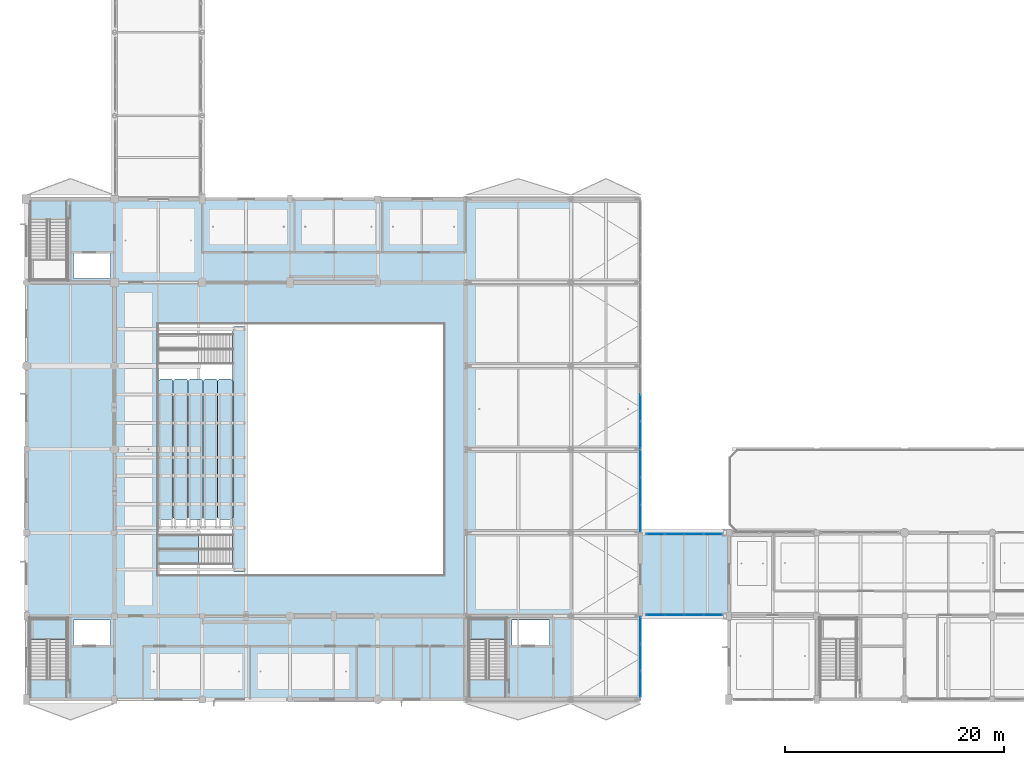
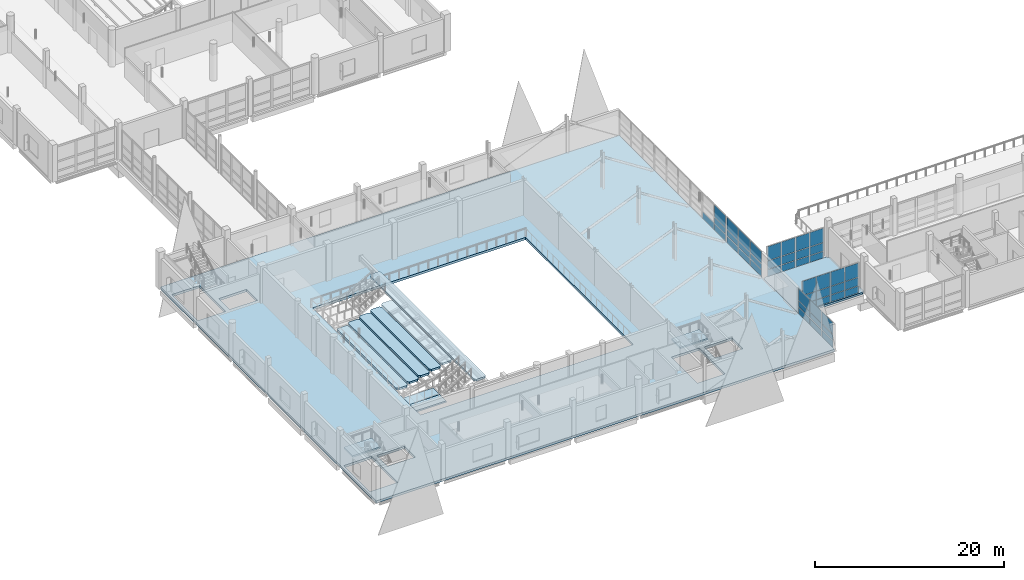
# One storey, part 68 of 147: 46 plates, 12 slabs, 9 elements without a shape of their own.
"""IFC4 building model written with IfcOpenShell, lengths in metres."""

from ifc_helpers import new_model, si_unit, direction, frame, origin, origin_2d, place, context, subcontext, project, spatial, polyline, rectangle, outline, extrude, material, layer, layer_set, type_object, element, aggregate, save


model = new_model("IFC4")

# Units and contexts
model_context = context("Model", 3, precision=1e-05, world=origin(), true_north=direction((0.0, 1.0)))
body_context = subcontext(model_context, "Body", "Model", "MODEL_VIEW")
ifc_project = project(units=[si_unit("LENGTHUNIT", "METRE"), si_unit("AREAUNIT", "SQUARE_METRE"), si_unit("VOLUMEUNIT", "CUBIC_METRE"), si_unit("PLANEANGLEUNIT", "RADIAN"), si_unit("MASSUNIT", "GRAM", prefix="KILO")], contexts=[model_context])

# Site, building, storey
site_placement = place(None, origin())
site = spatial("IfcSite", under=ifc_project, at=site_placement, CompositionType="ELEMENT")
building_placement = place(site_placement, origin())
building = spatial("IfcBuilding", under=site, at=building_placement, Name="Khelvaren Railside Concert Hall", CompositionType="ELEMENT")
storey_placement = place(building_placement, frame((0.0, 0.0, 5.39990234375)))
storey = spatial("IfcBuildingStorey", under=building, at=storey_placement, Name="L01", CompositionType="ELEMENT", Elevation=5.39990234375)

# Curtain wall, plates
ifc_material_1 = material(Name="Double-glazed clear foyer glass", Category="glass")
curtain_wall_type_1 = type_object("IfcCurtainWallType", Name="CW47", PredefinedType="USERDEFINED", material=ifc_material_1)
curtain_wall_1_placement = place(storey_placement, origin())
curtain_wall_1 = element("IfcCurtainWall", 1, at=curtain_wall_1_placement, inside=storey, type_object=curtain_wall_type_1, Name="Unitised Curtain Wall CW-LB1-L01-S", ObjectType="UNITISED CURTAIN WALL", PredefinedType="USERDEFINED")
ifc_layer_1 = layer(ifc_material_1, 0.0439453125)
ifc_layer_set_1 = layer_set([ifc_layer_1], Name="Double-glazed clear foyer glass")
plate_type_1 = type_object("IfcPlateType", Name="CWP33", PredefinedType="CURTAIN_PANEL", material=ifc_layer_set_1)
plate_1_placement = place(storey_placement, frame((62.512451171875, 7.699951171875, 0.065185546875), z_axis=(0.0, 0.0, 1.0), x_axis=(-1.0, 0.0, 0.0)))
plate_1 = element("IfcPlate", 2, at=plate_1_placement, type_object=plate_type_1, Name="CW47 panel 1.1", PredefinedType="CURTAIN_PANEL", context=body_context, shape_type="SweptSolid", body=[
    extrude(rectangle(XDim=1.625, YDim=0.0439453125, at=origin_2d()), origin(), (0.0, 0.0, 1.0), 0.8525390625),
])
plate_2_placement = place(storey_placement, frame((62.512451171875, 7.699951171875, 0.982666015625), z_axis=(0.0, 0.0, 1.0), x_axis=(-1.0, 0.0, 0.0)))
plate_2 = element("IfcPlate", 3, at=plate_2_placement, type_object=plate_type_1, Name="CW47 panel 1.2", PredefinedType="CURTAIN_PANEL", context=body_context, shape_type="SweptSolid", body=[
    extrude(rectangle(XDim=1.625, YDim=0.0439453125, at=origin_2d()), origin(), (0.0, 0.0, 1.0), 1.0546875),
])
plate_3_placement = place(storey_placement, frame((62.512451171875, 7.699951171875, 2.10205078125), z_axis=(0.0, 0.0, 1.0), x_axis=(-1.0, 0.0, 0.0)))
plate_3 = element("IfcPlate", 4, at=plate_3_placement, type_object=plate_type_1, Name="CW47 panel 1.3", PredefinedType="CURTAIN_PANEL", context=body_context, shape_type="SweptSolid", body=[
    extrude(rectangle(XDim=1.625, YDim=0.0439453125, at=origin_2d()), origin(), (0.0, 0.0, 1.0), 1.81298828125),
])
plate_4_placement = place(storey_placement, frame((60.793701171875, 7.699951171875, 0.065185546875), z_axis=(0.0, 0.0, 1.0), x_axis=(-1.0, 0.0, 0.0)))
plate_4 = element("IfcPlate", 5, at=plate_4_placement, type_object=plate_type_1, Name="CW47 panel 2.1", PredefinedType="CURTAIN_PANEL", context=body_context, shape_type="SweptSolid", body=[
    extrude(rectangle(XDim=1.66259765625, YDim=0.0439453125, at=origin_2d()), origin(), (0.0, 0.0, 1.0), 0.8525390625),
])
plate_5_placement = place(storey_placement, frame((60.793701171875, 7.699951171875, 0.982666015625), z_axis=(0.0, 0.0, 1.0), x_axis=(-1.0, 0.0, 0.0)))
plate_5 = element("IfcPlate", 6, at=plate_5_placement, type_object=plate_type_1, Name="CW47 panel 2.2", PredefinedType="CURTAIN_PANEL", context=body_context, shape_type="SweptSolid", body=[
    extrude(rectangle(XDim=1.66259765625, YDim=0.0439453125, at=origin_2d()), origin(), (0.0, 0.0, 1.0), 1.0546875),
])
plate_6_placement = place(storey_placement, frame((60.793701171875, 7.699951171875, 2.10205078125), z_axis=(0.0, 0.0, 1.0), x_axis=(-1.0, 0.0, 0.0)))
plate_6 = element("IfcPlate", 7, at=plate_6_placement, type_object=plate_type_1, Name="CW47 panel 2.3", PredefinedType="CURTAIN_PANEL", context=body_context, shape_type="SweptSolid", body=[
    extrude(rectangle(XDim=1.66259765625, YDim=0.0439453125, at=origin_2d()), origin(), (0.0, 0.0, 1.0), 1.81298828125),
])
plate_7_placement = place(storey_placement, frame((59.05615234375, 7.699951171875, 0.065185546875), z_axis=(0.0, 0.0, 1.0), x_axis=(-1.0, 0.0, 0.0)))
plate_7 = element("IfcPlate", 8, at=plate_7_placement, type_object=plate_type_1, Name="CW47 panel 3.1", PredefinedType="CURTAIN_PANEL", context=body_context, shape_type="SweptSolid", body=[
    extrude(rectangle(XDim=1.66259765625, YDim=0.0439453125, at=origin_2d()), origin(), (0.0, 0.0, 1.0), 0.8525390625),
])
plate_8_placement = place(storey_placement, frame((59.05615234375, 7.699951171875, 0.982666015625), z_axis=(0.0, 0.0, 1.0), x_axis=(-1.0, 0.0, 0.0)))
plate_8 = element("IfcPlate", 9, at=plate_8_placement, type_object=plate_type_1, Name="CW47 panel 3.2", PredefinedType="CURTAIN_PANEL", context=body_context, shape_type="SweptSolid", body=[
    extrude(rectangle(XDim=1.66259765625, YDim=0.0439453125, at=origin_2d()), origin(), (0.0, 0.0, 1.0), 1.0546875),
])
plate_9_placement = place(storey_placement, frame((59.05615234375, 7.699951171875, 2.10205078125), z_axis=(0.0, 0.0, 1.0), x_axis=(-1.0, 0.0, 0.0)))
plate_9 = element("IfcPlate", 10, at=plate_9_placement, type_object=plate_type_1, Name="CW47 panel 3.3", PredefinedType="CURTAIN_PANEL", context=body_context, shape_type="SweptSolid", body=[
    extrude(rectangle(XDim=1.66259765625, YDim=0.0439453125, at=origin_2d()), origin(), (0.0, 0.0, 1.0), 1.81298828125),
])
plate_10_placement = place(storey_placement, frame((57.33740234375, 7.699951171875, 0.065185546875), z_axis=(0.0, 0.0, 1.0), x_axis=(-1.0, 0.0, 0.0)))
plate_10 = element("IfcPlate", 11, at=plate_10_placement, type_object=plate_type_1, Name="CW47 panel 4.1", PredefinedType="CURTAIN_PANEL", context=body_context, shape_type="SweptSolid", body=[
    extrude(rectangle(XDim=1.625, YDim=0.0439453125, at=origin_2d()), origin(), (0.0, 0.0, 1.0), 0.8525390625),
])
plate_11_placement = place(storey_placement, frame((57.33740234375, 7.699951171875, 0.982666015625), z_axis=(0.0, 0.0, 1.0), x_axis=(-1.0, 0.0, 0.0)))
plate_11 = element("IfcPlate", 12, at=plate_11_placement, type_object=plate_type_1, Name="CW47 panel 4.2", PredefinedType="CURTAIN_PANEL", context=body_context, shape_type="SweptSolid", body=[
    extrude(rectangle(XDim=1.625, YDim=0.0439453125, at=origin_2d()), origin(), (0.0, 0.0, 1.0), 1.0546875),
])
plate_12_placement = place(storey_placement, frame((57.33740234375, 7.699951171875, 2.10205078125), z_axis=(0.0, 0.0, 1.0), x_axis=(-1.0, 0.0, 0.0)))
plate_12 = element("IfcPlate", 13, at=plate_12_placement, type_object=plate_type_1, Name="CW47 panel 4.3", PredefinedType="CURTAIN_PANEL", context=body_context, shape_type="SweptSolid", body=[
    extrude(rectangle(XDim=1.625, YDim=0.0439453125, at=origin_2d()), origin(), (0.0, 0.0, 1.0), 1.81298828125),
])
aggregate(curtain_wall_1, [plate_1, plate_2, plate_3, plate_4, plate_5, plate_6, plate_7, plate_8, plate_9, plate_10, plate_11, plate_12])

curtain_wall_2_placement = place(storey_placement, origin())
curtain_wall_2 = element("IfcCurtainWall", 14, at=curtain_wall_2_placement, inside=storey, type_object=curtain_wall_type_1, Name="Unitised Curtain Wall CW-LB1-L01-N", ObjectType="UNITISED CURTAIN WALL", PredefinedType="USERDEFINED")
plate_13_placement = place(storey_placement, frame((57.33740234375, 15.10009765625, 0.065185546875), z_axis=(0.0, 0.0, 1.0), x_axis=(1.0, 0.0, 0.0)))
plate_13 = element("IfcPlate", 15, at=plate_13_placement, type_object=plate_type_1, Name="CW47 panel 1.1", PredefinedType="CURTAIN_PANEL", context=body_context, shape_type="SweptSolid", body=[
    extrude(rectangle(XDim=1.625, YDim=0.0439453125, at=origin_2d()), origin(), (0.0, 0.0, 1.0), 0.8525390625),
])
plate_14_placement = place(storey_placement, frame((57.33740234375, 15.10009765625, 0.982666015625), z_axis=(0.0, 0.0, 1.0), x_axis=(1.0, 0.0, 0.0)))
plate_14 = element("IfcPlate", 16, at=plate_14_placement, type_object=plate_type_1, Name="CW47 panel 1.2", PredefinedType="CURTAIN_PANEL", context=body_context, shape_type="SweptSolid", body=[
    extrude(rectangle(XDim=1.625, YDim=0.0439453125, at=origin_2d()), origin(), (0.0, 0.0, 1.0), 1.0546875),
])
plate_15_placement = place(storey_placement, frame((57.33740234375, 15.10009765625, 2.10205078125), z_axis=(0.0, 0.0, 1.0), x_axis=(1.0, 0.0, 0.0)))
plate_15 = element("IfcPlate", 17, at=plate_15_placement, type_object=plate_type_1, Name="CW47 panel 1.3", PredefinedType="CURTAIN_PANEL", context=body_context, shape_type="SweptSolid", body=[
    extrude(rectangle(XDim=1.625, YDim=0.0439453125, at=origin_2d()), origin(), (0.0, 0.0, 1.0), 1.81298828125),
])
plate_16_placement = place(storey_placement, frame((59.05615234375, 15.10009765625, 0.065185546875), z_axis=(0.0, 0.0, 1.0), x_axis=(1.0, 0.0, 0.0)))
plate_16 = element("IfcPlate", 18, at=plate_16_placement, type_object=plate_type_1, Name="CW47 panel 2.1", PredefinedType="CURTAIN_PANEL", context=body_context, shape_type="SweptSolid", body=[
    extrude(rectangle(XDim=1.66259765625, YDim=0.0439453125, at=origin_2d()), origin(), (0.0, 0.0, 1.0), 0.8525390625),
])
plate_17_placement = place(storey_placement, frame((59.05615234375, 15.10009765625, 0.982666015625), z_axis=(0.0, 0.0, 1.0), x_axis=(1.0, 0.0, 0.0)))
plate_17 = element("IfcPlate", 19, at=plate_17_placement, type_object=plate_type_1, Name="CW47 panel 2.2", PredefinedType="CURTAIN_PANEL", context=body_context, shape_type="SweptSolid", body=[
    extrude(rectangle(XDim=1.66259765625, YDim=0.0439453125, at=origin_2d()), origin(), (0.0, 0.0, 1.0), 1.0546875),
])
plate_18_placement = place(storey_placement, frame((59.05615234375, 15.10009765625, 2.10205078125), z_axis=(0.0, 0.0, 1.0), x_axis=(1.0, 0.0, 0.0)))
plate_18 = element("IfcPlate", 20, at=plate_18_placement, type_object=plate_type_1, Name="CW47 panel 2.3", PredefinedType="CURTAIN_PANEL", context=body_context, shape_type="SweptSolid", body=[
    extrude(rectangle(XDim=1.66259765625, YDim=0.0439453125, at=origin_2d()), origin(), (0.0, 0.0, 1.0), 1.81298828125),
])
plate_19_placement = place(storey_placement, frame((60.793701171875, 15.10009765625, 0.065185546875), z_axis=(0.0, 0.0, 1.0), x_axis=(1.0, 0.0, 0.0)))
plate_19 = element("IfcPlate", 21, at=plate_19_placement, type_object=plate_type_1, Name="CW47 panel 3.1", PredefinedType="CURTAIN_PANEL", context=body_context, shape_type="SweptSolid", body=[
    extrude(rectangle(XDim=1.66259765625, YDim=0.0439453125, at=origin_2d()), origin(), (0.0, 0.0, 1.0), 0.8525390625),
])
plate_20_placement = place(storey_placement, frame((60.793701171875, 15.10009765625, 0.982666015625), z_axis=(0.0, 0.0, 1.0), x_axis=(1.0, 0.0, 0.0)))
plate_20 = element("IfcPlate", 22, at=plate_20_placement, type_object=plate_type_1, Name="CW47 panel 3.2", PredefinedType="CURTAIN_PANEL", context=body_context, shape_type="SweptSolid", body=[
    extrude(rectangle(XDim=1.66259765625, YDim=0.0439453125, at=origin_2d()), origin(), (0.0, 0.0, 1.0), 1.0546875),
])
plate_21_placement = place(storey_placement, frame((60.793701171875, 15.10009765625, 2.10205078125), z_axis=(0.0, 0.0, 1.0), x_axis=(1.0, 0.0, 0.0)))
plate_21 = element("IfcPlate", 23, at=plate_21_placement, type_object=plate_type_1, Name="CW47 panel 3.3", PredefinedType="CURTAIN_PANEL", context=body_context, shape_type="SweptSolid", body=[
    extrude(rectangle(XDim=1.66259765625, YDim=0.0439453125, at=origin_2d()), origin(), (0.0, 0.0, 1.0), 1.81298828125),
])
plate_22_placement = place(storey_placement, frame((62.512451171875, 15.10009765625, 0.065185546875), z_axis=(0.0, 0.0, 1.0), x_axis=(1.0, 0.0, 0.0)))
plate_22 = element("IfcPlate", 24, at=plate_22_placement, type_object=plate_type_1, Name="CW47 panel 4.1", PredefinedType="CURTAIN_PANEL", context=body_context, shape_type="SweptSolid", body=[
    extrude(rectangle(XDim=1.625, YDim=0.0439453125, at=origin_2d()), origin(), (0.0, 0.0, 1.0), 0.8525390625),
])
plate_23_placement = place(storey_placement, frame((62.512451171875, 15.10009765625, 0.982666015625), z_axis=(0.0, 0.0, 1.0), x_axis=(1.0, 0.0, 0.0)))
plate_23 = element("IfcPlate", 25, at=plate_23_placement, type_object=plate_type_1, Name="CW47 panel 4.2", PredefinedType="CURTAIN_PANEL", context=body_context, shape_type="SweptSolid", body=[
    extrude(rectangle(XDim=1.625, YDim=0.0439453125, at=origin_2d()), origin(), (0.0, 0.0, 1.0), 1.0546875),
])
plate_24_placement = place(storey_placement, frame((62.512451171875, 15.10009765625, 2.10205078125), z_axis=(0.0, 0.0, 1.0), x_axis=(1.0, 0.0, 0.0)))
plate_24 = element("IfcPlate", 26, at=plate_24_placement, type_object=plate_type_1, Name="CW47 panel 4.3", PredefinedType="CURTAIN_PANEL", context=body_context, shape_type="SweptSolid", body=[
    extrude(rectangle(XDim=1.625, YDim=0.0439453125, at=origin_2d()), origin(), (0.0, 0.0, 1.0), 1.81298828125),
])
aggregate(curtain_wall_2, [plate_13, plate_14, plate_15, plate_16, plate_17, plate_18, plate_19, plate_20, plate_21, plate_22, plate_23, plate_24])

ifc_material_2 = material(Name="Triple-glazed solar-control glass", Category="glass")
curtain_wall_type_2 = type_object("IfcCurtainWallType", Name="CW41", PredefinedType="USERDEFINED", material=ifc_material_2)
curtain_wall_3_placement = place(storey_placement, origin())
curtain_wall_3 = element("IfcCurtainWall", 27, at=curtain_wall_3_placement, inside=storey, type_object=curtain_wall_type_2, Name="Unitised Curtain Wall CW-V1-L01-E-15", ObjectType="UNITISED CURTAIN WALL", PredefinedType="USERDEFINED")
ifc_layer_2 = layer(ifc_material_2, 0.035888671875)
ifc_layer_set_2 = layer_set([ifc_layer_2], Name="Triple-glazed solar-control glass")
plate_type_2 = type_object("IfcPlateType", Name="CWP53", PredefinedType="CURTAIN_PANEL", material=ifc_layer_set_2)
plate_25_placement = place(storey_placement, frame((55.93994140625, 21.488037109375, 0.0751953125), z_axis=(0.0, 0.0, 1.0), x_axis=(0.0, -1.0, 0.0)))
plate_25 = element("IfcPlate", 28, at=plate_25_placement, type_object=plate_type_2, Name="CW41 panel 1.1", PredefinedType="CURTAIN_PANEL", context=body_context, shape_type="SweptSolid", body=[
    extrude(rectangle(XDim=2.394287109375, YDim=0.035888671875, at=origin_2d()), origin(), (0.0, 0.0, 1.0), 0.83740234375),
])
plate_26_placement = place(storey_placement, frame((55.93994140625, 21.488037109375, 0.98779296875), z_axis=(0.0, 0.0, 1.0), x_axis=(0.0, -1.0, 0.0)))
plate_26 = element("IfcPlate", 29, at=plate_26_placement, type_object=plate_type_2, Name="CW41 panel 1.2", PredefinedType="CURTAIN_PANEL", context=body_context, shape_type="SweptSolid", body=[
    extrude(rectangle(XDim=2.394287109375, YDim=0.035888671875, at=origin_2d()), origin(), (0.0, 0.0, 1.0), 0.742919921875),
])
plate_27_placement = place(storey_placement, frame((55.93994140625, 21.488037109375, 1.8056640625), z_axis=(0.0, 0.0, 1.0), x_axis=(0.0, -1.0, 0.0)))
plate_27 = element("IfcPlate", 30, at=plate_27_placement, type_object=plate_type_2, Name="CW41 panel 1.3", PredefinedType="CURTAIN_PANEL", context=body_context, shape_type="SweptSolid", body=[
    extrude(rectangle(XDim=2.394287109375, YDim=0.035888671875, at=origin_2d()), origin(), (0.0, 0.0, 1.0), 1.51953125),
])
plate_28_placement = place(storey_placement, frame((55.93994140625, 19.0, 0.0751953125), z_axis=(0.0, 0.0, 1.0), x_axis=(0.0, -1.0, 0.0)))
plate_28 = element("IfcPlate", 31, at=plate_28_placement, type_object=plate_type_2, Name="CW41 panel 2.1", PredefinedType="CURTAIN_PANEL", context=body_context, shape_type="SweptSolid", body=[
    extrude(rectangle(XDim=2.431640625, YDim=0.035888671875, at=origin_2d()), origin(), (0.0, 0.0, 1.0), 0.83740234375),
])
plate_29_placement = place(storey_placement, frame((55.93994140625, 19.0, 0.98779296875), z_axis=(0.0, 0.0, 1.0), x_axis=(0.0, -1.0, 0.0)))
plate_29 = element("IfcPlate", 32, at=plate_29_placement, type_object=plate_type_2, Name="CW41 panel 2.2", PredefinedType="CURTAIN_PANEL", context=body_context, shape_type="SweptSolid", body=[
    extrude(rectangle(XDim=2.431640625, YDim=0.035888671875, at=origin_2d()), origin(), (0.0, 0.0, 1.0), 0.742919921875),
])
plate_30_placement = place(storey_placement, frame((55.93994140625, 19.0, 1.8056640625), z_axis=(0.0, 0.0, 1.0), x_axis=(0.0, -1.0, 0.0)))
plate_30 = element("IfcPlate", 33, at=plate_30_placement, type_object=plate_type_2, Name="CW41 panel 2.3", PredefinedType="CURTAIN_PANEL", context=body_context, shape_type="SweptSolid", body=[
    extrude(rectangle(XDim=2.431640625, YDim=0.035888671875, at=origin_2d()), origin(), (0.0, 0.0, 1.0), 1.51953125),
])
plate_31_placement = place(storey_placement, frame((55.93994140625, 16.511962890625, 0.0751953125), z_axis=(0.0, 0.0, 1.0), x_axis=(0.0, -1.0, 0.0)))
plate_31 = element("IfcPlate", 34, at=plate_31_placement, type_object=plate_type_2, Name="CW41 panel 3.1", PredefinedType="CURTAIN_PANEL", context=body_context, shape_type="SweptSolid", body=[
    extrude(rectangle(XDim=2.394287109375, YDim=0.035888671875, at=origin_2d()), origin(), (0.0, 0.0, 1.0), 0.83740234375),
])
plate_32_placement = place(storey_placement, frame((55.93994140625, 16.511962890625, 0.98779296875), z_axis=(0.0, 0.0, 1.0), x_axis=(0.0, -1.0, 0.0)))
plate_32 = element("IfcPlate", 35, at=plate_32_placement, type_object=plate_type_2, Name="CW41 panel 3.2", PredefinedType="CURTAIN_PANEL", context=body_context, shape_type="SweptSolid", body=[
    extrude(rectangle(XDim=2.394287109375, YDim=0.035888671875, at=origin_2d()), origin(), (0.0, 0.0, 1.0), 0.742919921875),
])
plate_33_placement = place(storey_placement, frame((55.93994140625, 16.511962890625, 1.8056640625), z_axis=(0.0, 0.0, 1.0), x_axis=(0.0, -1.0, 0.0)))
plate_33 = element("IfcPlate", 36, at=plate_33_placement, type_object=plate_type_2, Name="CW41 panel 3.3", PredefinedType="CURTAIN_PANEL", context=body_context, shape_type="SweptSolid", body=[
    extrude(rectangle(XDim=2.394287109375, YDim=0.035888671875, at=origin_2d()), origin(), (0.0, 0.0, 1.0), 1.51953125),
])
aggregate(curtain_wall_3, [plate_25, plate_26, plate_27, plate_28, plate_29, plate_30, plate_31, plate_32, plate_33])

curtain_wall_type_3 = type_object("IfcCurtainWallType", Name="CW88", PredefinedType="USERDEFINED", material=ifc_material_2)
curtain_wall_4_placement = place(storey_placement, origin())
curtain_wall_4 = element("IfcCurtainWall", 37, at=curtain_wall_4_placement, inside=storey, type_object=curtain_wall_type_3, Name="Unitised Curtain Wall CW-V1-L01-E-23", ObjectType="UNITISED CURTAIN WALL", PredefinedType="USERDEFINED")
plate_34_placement = place(storey_placement, frame((55.93994140625, 26.60009765625, 0.0751953125), z_axis=(0.0, 0.0, 1.0), x_axis=(0.0, -1.0, 0.0)))
plate_34 = element("IfcPlate", 38, at=plate_34_placement, type_object=plate_type_2, Name="CW88 panel 2.1", PredefinedType="CURTAIN_PANEL", context=body_context, shape_type="SweptSolid", body=[
    extrude(rectangle(XDim=2.431640625, YDim=0.035888671875, at=origin_2d()), origin(), (0.0, 0.0, 1.0), 0.83740234375),
])
plate_35_placement = place(storey_placement, frame((55.93994140625, 24.112060546875, 0.0751953125), z_axis=(0.0, 0.0, 1.0), x_axis=(0.0, -1.0, 0.0)))
plate_35 = element("IfcPlate", 39, at=plate_35_placement, type_object=plate_type_2, Name="CW88 panel 3.1", PredefinedType="CURTAIN_PANEL", context=body_context, shape_type="SweptSolid", body=[
    extrude(rectangle(XDim=2.394287109375, YDim=0.035888671875, at=origin_2d()), origin(), (0.0, 0.0, 1.0), 0.83740234375),
])
plate_36_placement = place(storey_placement, frame((55.93994140625, 24.112060546875, 0.98779296875), z_axis=(0.0, 0.0, 1.0), x_axis=(0.0, -1.0, 0.0)))
plate_36 = element("IfcPlate", 40, at=plate_36_placement, type_object=plate_type_2, Name="CW88 panel 3.2", PredefinedType="CURTAIN_PANEL", context=body_context, shape_type="SweptSolid", body=[
    extrude(rectangle(XDim=2.394287109375, YDim=0.035888671875, at=origin_2d()), origin(), (0.0, 0.0, 1.0), 0.742919921875),
])
plate_37_placement = place(storey_placement, frame((55.93994140625, 24.112060546875, 1.8056640625), z_axis=(0.0, 0.0, 1.0), x_axis=(0.0, -1.0, 0.0)))
plate_37 = element("IfcPlate", 41, at=plate_37_placement, type_object=plate_type_2, Name="CW88 panel 3.3", PredefinedType="CURTAIN_PANEL", context=body_context, shape_type="SweptSolid", body=[
    extrude(rectangle(XDim=2.394287109375, YDim=0.035888671875, at=origin_2d()), origin(), (0.0, 0.0, 1.0), 1.51953125),
])
aggregate(curtain_wall_4, [plate_34, plate_35, plate_36, plate_37])

ifc_material_3 = material(Name="Acoustic laminated crystal facade glass", Category="glass")
curtain_wall_type_4 = type_object("IfcCurtainWallType", Name="CW54", PredefinedType="USERDEFINED", material=ifc_material_3)
curtain_wall_5_placement = place(storey_placement, origin())
curtain_wall_5 = element("IfcCurtainWall", 42, at=curtain_wall_5_placement, inside=storey, type_object=curtain_wall_type_4, Name="Unitised Curtain Wall CW-V1-L01-E-0", ObjectType="UNITISED CURTAIN WALL", PredefinedType="USERDEFINED")
ifc_layer_3 = layer(ifc_material_3, 0.0400390625)
ifc_layer_set_3 = layer_set([ifc_layer_3], Name="Acoustic laminated crystal facade glass")
plate_type_3 = type_object("IfcPlateType", Name="CWP77", PredefinedType="CURTAIN_PANEL", material=ifc_layer_set_3)
plate_38_placement = place(storey_placement, frame((55.93994140625, 6.305419921875, 0.0849609375), z_axis=(0.0, 0.0, 1.0), x_axis=(0.0, -1.0, 0.0)))
plate_38 = element("IfcPlate", 43, at=plate_38_placement, type_object=plate_type_3, Name="CW54 panel 1.1", PredefinedType="CURTAIN_PANEL", context=body_context, shape_type="SweptSolid", body=[
    extrude(rectangle(XDim=2.339111328125, YDim=0.0400390625, at=origin_2d()), origin(), (0.0, 0.0, 1.0), 0.822509765625),
])
plate_39_placement = place(storey_placement, frame((55.93994140625, 6.305419921875, 0.99267578125), z_axis=(0.0, 0.0, 1.0), x_axis=(0.0, -1.0, 0.0)))
plate_39 = element("IfcPlate", 44, at=plate_39_placement, type_object=plate_type_3, Name="CW54 panel 1.2", PredefinedType="CURTAIN_PANEL", context=body_context, shape_type="SweptSolid", body=[
    extrude(rectangle(XDim=2.339111328125, YDim=0.0400390625, at=origin_2d()), origin(), (0.0, 0.0, 1.0), 0.73291015625),
])
plate_40_placement = place(storey_placement, frame((55.93994140625, 6.305419921875, 1.810546875), z_axis=(0.0, 0.0, 1.0), x_axis=(0.0, -1.0, 0.0)))
plate_40 = element("IfcPlate", 45, at=plate_40_placement, type_object=plate_type_3, Name="CW54 panel 1.3", PredefinedType="CURTAIN_PANEL", context=body_context, shape_type="SweptSolid", body=[
    extrude(rectangle(XDim=2.339111328125, YDim=0.0400390625, at=origin_2d()), origin(), (0.0, 0.0, 1.0), 1.50439453125),
])
plate_41_placement = place(storey_placement, frame((55.93994140625, 3.860107421875, 0.0849609375), z_axis=(0.0, 0.0, 1.0), x_axis=(0.0, -1.0, 0.0)))
plate_41 = element("IfcPlate", 46, at=plate_41_placement, type_object=plate_type_3, Name="CW54 panel 2.1", PredefinedType="CURTAIN_PANEL", context=body_context, shape_type="SweptSolid", body=[
    extrude(rectangle(XDim=2.381591796875, YDim=0.0400390625, at=origin_2d()), origin(), (0.0, 0.0, 1.0), 0.822509765625),
])
plate_42_placement = place(storey_placement, frame((55.93994140625, 3.860107421875, 0.99267578125), z_axis=(0.0, 0.0, 1.0), x_axis=(0.0, -1.0, 0.0)))
plate_42 = element("IfcPlate", 47, at=plate_42_placement, type_object=plate_type_3, Name="CW54 panel 2.2", PredefinedType="CURTAIN_PANEL", context=body_context, shape_type="SweptSolid", body=[
    extrude(rectangle(XDim=2.381591796875, YDim=0.0400390625, at=origin_2d()), origin(), (0.0, 0.0, 1.0), 0.73291015625),
])
plate_43_placement = place(storey_placement, frame((55.93994140625, 3.860107421875, 1.810546875), z_axis=(0.0, 0.0, 1.0), x_axis=(0.0, -1.0, 0.0)))
plate_43 = element("IfcPlate", 48, at=plate_43_placement, type_object=plate_type_3, Name="CW54 panel 2.3", PredefinedType="CURTAIN_PANEL", context=body_context, shape_type="SweptSolid", body=[
    extrude(rectangle(XDim=2.381591796875, YDim=0.0400390625, at=origin_2d()), origin(), (0.0, 0.0, 1.0), 1.50439453125),
])
plate_44_placement = place(storey_placement, frame((55.93994140625, 1.41455078125, 0.0849609375), z_axis=(0.0, 0.0, 1.0), x_axis=(0.0, -1.0, 0.0)))
plate_44 = element("IfcPlate", 49, at=plate_44_placement, type_object=plate_type_3, Name="CW54 panel 3.1", PredefinedType="CURTAIN_PANEL", context=body_context, shape_type="SweptSolid", body=[
    extrude(rectangle(XDim=2.339111328125, YDim=0.0400390625, at=origin_2d()), origin(), (0.0, 0.0, 1.0), 0.822509765625),
])
plate_45_placement = place(storey_placement, frame((55.93994140625, 1.41455078125, 0.99267578125), z_axis=(0.0, 0.0, 1.0), x_axis=(0.0, -1.0, 0.0)))
plate_45 = element("IfcPlate", 50, at=plate_45_placement, type_object=plate_type_3, Name="CW54 panel 3.2", PredefinedType="CURTAIN_PANEL", context=body_context, shape_type="SweptSolid", body=[
    extrude(rectangle(XDim=2.339111328125, YDim=0.0400390625, at=origin_2d()), origin(), (0.0, 0.0, 1.0), 0.73291015625),
])
plate_46_placement = place(storey_placement, frame((55.93994140625, 1.41455078125, 1.810546875), z_axis=(0.0, 0.0, 1.0), x_axis=(0.0, -1.0, 0.0)))
plate_46 = element("IfcPlate", 51, at=plate_46_placement, type_object=plate_type_3, Name="CW54 panel 3.3", PredefinedType="CURTAIN_PANEL", context=body_context, shape_type="SweptSolid", body=[
    extrude(rectangle(XDim=2.339111328125, YDim=0.0400390625, at=origin_2d()), origin(), (0.0, 0.0, 1.0), 1.50439453125),
])
aggregate(curtain_wall_5, [plate_38, plate_39, plate_40, plate_41, plate_42, plate_43, plate_44, plate_45, plate_46])

# Slabs
ifc_material_4 = material(Name="Concrete C40/50", Category="concrete")
ifc_layer_4 = layer(ifc_material_4, 0.239990234375)
ifc_layer_set_4 = layer_set([ifc_layer_4], Name="Concrete C40/50")
slab_type_1 = type_object("IfcSlabType", Name="FS36", PredefinedType="FLOOR", material=ifc_layer_set_4)
slab_1_placement = place(storey_placement, frame((0.0, 0.0, -0.239990234375)))
element("IfcSlab", 52, at=slab_1_placement, inside=storey, type_object=slab_type_1, Name="West Promenade Link Bridge L01 Deck Slab", PredefinedType="FLOOR", context=body_context, shape_type="SweptSolid", body=[
    extrude(outline(polyline([(56.25, 7.60009765625), (63.800048828125, 7.60009765625), (64.050048828125, 7.85009765625), (64.050048828125, 14.949951171875), (63.800048828125, 15.199951171875), (56.25, 15.199951171875), (56.0, 14.949951171875), (56.0, 7.85009765625), (56.25, 7.60009765625)])), origin(), (0.0, 0.0, 1.0), 0.239990234375),
])
ifc_layer_5 = layer(ifc_material_4, 0.300048828125)
ifc_layer_set_5 = layer_set([ifc_layer_5], Name="Concrete C40/50")
slab_type_2 = type_object("IfcSlabType", Name="FS86", PredefinedType="FLOOR", material=ifc_layer_set_5)
slab_2_placement = place(storey_placement, frame((0.0, 0.0, -0.2998046875)))
element("IfcSlab", 53, at=slab_2_placement, inside=storey, type_object=slab_type_2, Name="V1 L01 Structural Floor Slab", PredefinedType="FLOOR", context=body_context, shape_type="SweptSolid", body=[
    extrude(outline(polyline([(0.0, 0.0), (56.0, 0.0), (56.0, 45.60009765625), (0.0, 45.60009765625), (0.0, 0.0)]), holes=[polyline([(3.699951171875, 1.840087890625), (3.699951171875, 7.360107421875), (0.300048828125, 7.360107421875), (0.300048828125, 1.840087890625), (3.699951171875, 1.840087890625)]), polyline([(4.25, 4.949951171875), (7.64990234375, 4.949951171875), (7.64990234375, 7.25), (4.25, 7.25), (4.25, 4.949951171875)]), polyline([(43.699951171875, 1.840087890625), (43.699951171875, 7.360107421875), (40.300048828125, 7.360107421875), (40.300048828125, 1.840087890625), (43.699951171875, 1.840087890625)]), polyline([(44.25, 4.949951171875), (47.64990234375, 4.949951171875), (47.64990234375, 7.25), (44.25, 7.25), (44.25, 4.949951171875)]), polyline([(0.300048828125, 43.760009765625), (0.300048828125, 38.239990234375), (3.699951171875, 38.239990234375), (3.699951171875, 43.760009765625), (0.300048828125, 43.760009765625)]), polyline([(4.25, 38.35009765625), (7.64990234375, 38.35009765625), (7.64990234375, 40.64990234375), (4.25, 40.64990234375), (4.25, 38.35009765625)]), polyline([(12.0, 11.39990234375), (38.0, 11.39990234375), (38.0, 34.199951171875), (12.0, 34.199951171875), (12.0, 11.39990234375)])]), origin(), (0.0, 0.0, 1.0), 0.2998046875),
])

# Stair, slab
stair_type_1 = type_object("IfcStairType", Name="ST52", PredefinedType="HALF_TURN_STAIR", material=ifc_material_4)
stair_1_placement = place(storey_placement, origin())
stair_1 = element("IfcStair", 54, at=stair_1_placement, inside=storey, type_object=stair_type_1, Name="L01 Core Exit Stair ST-01", PredefinedType="HALF_TURN_STAIR")
ifc_layer_6 = layer(ifc_material_4, 0.199951171875)
ifc_layer_set_6 = layer_set([ifc_layer_6], Name="Concrete C40/50")
slab_type_3 = type_object("IfcSlabType", Name="LND67", PredefinedType="LANDING", material=ifc_layer_set_6)
slab_3_placement = place(storey_placement, frame((0.0, 0.0, 2.2001953125)))
slab_3 = element("IfcSlab", 55, at=slab_3_placement, type_object=slab_type_3, Name="ST-01 landing 1", PredefinedType="LANDING", context=body_context, shape_type="SweptSolid", body=[
    extrude(outline(polyline([(3.699951171875, 5.47998046875), (3.699951171875, 7.360107421875), (0.300048828125, 7.360107421875), (0.300048828125, 5.47998046875), (3.699951171875, 5.47998046875)])), origin(), (0.0, 0.0, 1.0), 0.199951171875),
])
aggregate(stair_1, [slab_3])

stair_2_placement = place(storey_placement, origin())
stair_2 = element("IfcStair", 56, at=stair_2_placement, inside=storey, type_object=stair_type_1, Name="L01 Core Exit Stair ST-02", PredefinedType="HALF_TURN_STAIR")
slab_4_placement = place(storey_placement, frame((0.0, 0.0, 2.2001953125)))
slab_4 = element("IfcSlab", 57, at=slab_4_placement, type_object=slab_type_3, Name="ST-02 landing 1", PredefinedType="LANDING", context=body_context, shape_type="SweptSolid", body=[
    extrude(outline(polyline([(43.699951171875, 5.47998046875), (43.699951171875, 7.360107421875), (40.300048828125, 7.360107421875), (40.300048828125, 5.47998046875), (43.699951171875, 5.47998046875)])), origin(), (0.0, 0.0, 1.0), 0.199951171875),
])
aggregate(stair_2, [slab_4])

ifc_material_5 = material(Name="Precast architectural concrete C40/50", Category="concrete")
stair_type_2 = type_object("IfcStairType", Name="VST15", PredefinedType="STRAIGHT_RUN_STAIR", material=ifc_material_5)
stair_3_placement = place(storey_placement, origin())
stair_3 = element("IfcStair", 58, at=stair_3_placement, inside=storey, type_object=stair_type_2, Name="Auditorium Vomitory Stair ST-17", PredefinedType="STRAIGHT_RUN_STAIR")
slab_5_placement = place(storey_placement, frame((0.0, 0.0, -0.199951171875)))
slab_5 = element("IfcSlab", 59, at=slab_5_placement, type_object=slab_type_3, Name="ST-17 landing 1", PredefinedType="LANDING", context=body_context, shape_type="SweptSolid", body=[
    extrude(outline(polyline([(12.0, 12.300048828125), (15.669921875, 12.300048828125), (15.669921875, 13.699951171875), (12.0, 13.699951171875), (12.0, 12.300048828125)])), origin(), (0.0, 0.0, 1.0), 0.199951171875),
])
aggregate(stair_3, [slab_5])

stair_4_placement = place(storey_placement, origin())
stair_4 = element("IfcStair", 60, at=stair_4_placement, inside=storey, type_object=stair_type_2, Name="Auditorium Vomitory Stair ST-18", PredefinedType="STRAIGHT_RUN_STAIR")
slab_6_placement = place(storey_placement, frame((0.0, 0.0, -0.199951171875)))
slab_6 = element("IfcSlab", 61, at=slab_6_placement, type_object=slab_type_3, Name="ST-18 landing 1", PredefinedType="LANDING", context=body_context, shape_type="SweptSolid", body=[
    extrude(outline(polyline([(12.0, 13.64990234375), (15.669921875, 13.64990234375), (15.669921875, 15.050048828125), (12.0, 15.050048828125), (12.0, 13.64990234375)])), origin(), (0.0, 0.0, 1.0), 0.199951171875),
])
aggregate(stair_4, [slab_6])

# Slabs
ifc_layer_7 = layer(ifc_material_4, 0.25)
ifc_layer_set_7 = layer_set([ifc_layer_7], Name="Concrete C40/50")
slab_type_4 = type_object("IfcSlabType", Name="TS60", PredefinedType="USERDEFINED", material=ifc_layer_set_7)
slab_7_placement = place(storey_placement, frame((0.0, 0.0, 0.090087890625)))
element("IfcSlab", 62, at=slab_7_placement, inside=storey, type_object=slab_type_4, Name="V1-L01 Balcony Seating Tier 1", ObjectType="SEATING TIER", PredefinedType="USERDEFINED", context=body_context, shape_type="SweptSolid", body=[
    extrude(outline(polyline([(12.199951171875, 16.39990234375), (13.199951171875, 16.39990234375), (13.39990234375, 16.60009765625), (13.39990234375, 29.0), (13.199951171875, 29.199951171875), (12.199951171875, 29.199951171875), (12.0, 29.0), (12.0, 16.60009765625), (12.199951171875, 16.39990234375)])), origin(), (0.0, 0.0, 1.0), 0.25),
])
slab_8_placement = place(storey_placement, frame((0.0, 0.0, 0.43017578125)))
element("IfcSlab", 63, at=slab_8_placement, inside=storey, type_object=slab_type_4, Name="V1-L01 Balcony Seating Tier 2", ObjectType="SEATING TIER", PredefinedType="USERDEFINED", context=body_context, shape_type="SweptSolid", body=[
    extrude(outline(polyline([(13.550048828125, 16.39990234375), (14.550048828125, 16.39990234375), (14.75, 16.60009765625), (14.75, 29.0), (14.550048828125, 29.199951171875), (13.550048828125, 29.199951171875), (13.35009765625, 29.0), (13.35009765625, 16.60009765625), (13.550048828125, 16.39990234375)])), origin(), (0.0, 0.0, 1.0), 0.25),
])
slab_9_placement = place(storey_placement, frame((0.0, 0.0, 0.77001953125)))
element("IfcSlab", 64, at=slab_9_placement, inside=storey, type_object=slab_type_4, Name="V1-L01 Balcony Seating Tier 3", ObjectType="SEATING TIER", PredefinedType="USERDEFINED", context=body_context, shape_type="SweptSolid", body=[
    extrude(outline(polyline([(14.89990234375, 16.39990234375), (15.89990234375, 16.39990234375), (16.10009765625, 16.60009765625), (16.10009765625, 29.0), (15.89990234375, 29.199951171875), (14.89990234375, 29.199951171875), (14.699951171875, 29.0), (14.699951171875, 16.60009765625), (14.89990234375, 16.39990234375)])), origin(), (0.0, 0.0, 1.0), 0.25),
])
slab_10_placement = place(storey_placement, frame((0.0, 0.0, 1.110107421875)))
element("IfcSlab", 65, at=slab_10_placement, inside=storey, type_object=slab_type_4, Name="V1-L01 Balcony Seating Tier 4", ObjectType="SEATING TIER", PredefinedType="USERDEFINED", context=body_context, shape_type="SweptSolid", body=[
    extrude(outline(polyline([(16.25, 16.39990234375), (17.25, 16.39990234375), (17.449951171875, 16.60009765625), (17.449951171875, 29.0), (17.25, 29.199951171875), (16.25, 29.199951171875), (16.050048828125, 29.0), (16.050048828125, 16.60009765625), (16.25, 16.39990234375)])), origin(), (0.0, 0.0, 1.0), 0.25),
])
slab_11_placement = place(storey_placement, frame((0.0, 0.0, 1.4501953125)))
element("IfcSlab", 66, at=slab_11_placement, inside=storey, type_object=slab_type_4, Name="V1-L01 Balcony Seating Tier 5", ObjectType="SEATING TIER", PredefinedType="USERDEFINED", context=body_context, shape_type="SweptSolid", body=[
    extrude(outline(polyline([(17.60009765625, 16.39990234375), (18.60009765625, 16.39990234375), (18.800048828125, 16.60009765625), (18.800048828125, 29.0), (18.60009765625, 29.199951171875), (17.60009765625, 29.199951171875), (17.39990234375, 29.0), (17.39990234375, 16.60009765625), (17.60009765625, 16.39990234375)])), origin(), (0.0, 0.0, 1.0), 0.25),
])
slab_12_placement = place(storey_placement, frame((0.0, 0.0, 1.7900390625)))
element("IfcSlab", 67, at=slab_12_placement, inside=storey, type_object=slab_type_4, Name="V1-L01 Balcony Seating Tier 6", ObjectType="SEATING TIER", PredefinedType="USERDEFINED", context=body_context, shape_type="SweptSolid", body=[
    extrude(outline(polyline([(18.949951171875, 11.60009765625), (19.949951171875, 11.60009765625), (20.14990234375, 11.800048828125), (20.14990234375, 33.800048828125), (19.949951171875, 34.0), (18.949951171875, 34.0), (18.75, 33.800048828125), (18.75, 11.800048828125), (18.949951171875, 11.60009765625)])), origin(), (0.0, 0.0, 1.0), 0.25),
])

save(model, "model.ifc")
